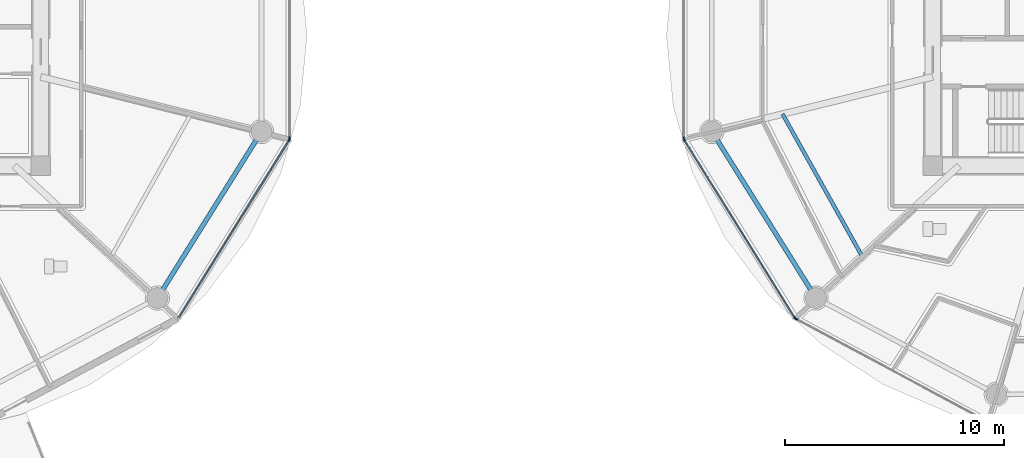
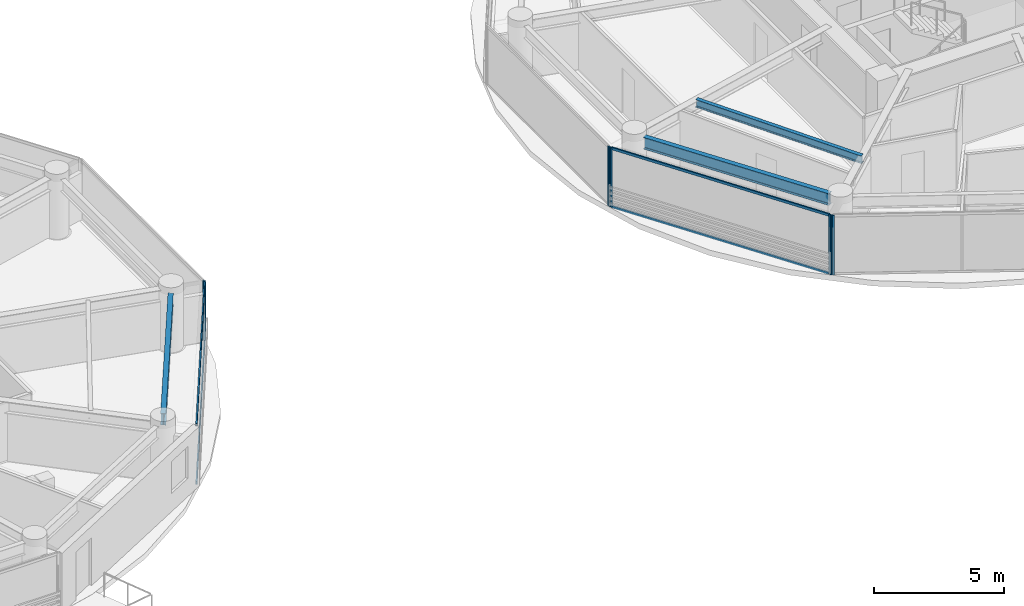
# One storey, part 6 of 31: 10 members, 3 beams, 5 elements without a shape of their own.
"""IFC4 building model written with IfcOpenShell, lengths in metres."""

import ifcopenshell
import ifcopenshell.guid

model = None  # the IFC model being written
_history = None  # IfcOwnerHistory: only IFC2X3 demands one
_inside = {}  # id of a spatial element -> (the spatial element, [elements in it])
_under = {}  # id of a project, library or spatial element -> (it, [spatial elements below it])
_declared = {}  # id of a project -> (the project, [libraries it declares])
_typed = {}  # id of a type object -> (the type object, [elements of that type])
_made_of = {}  # id of a material, layer set ... -> (it, [elements and type objects made of it])


def new_model(schema):
    """Start an empty IFC model of exactly this schema.

    Asked for "IFC4X3", IfcOpenShell would pick the latest addendum, in which some entities
    have other attributes; the version numbers below select the first issue.
    IFC2X3 requires an IfcOwnerHistory on every rooted entity: one is made here for all.
    """
    global model, _history
    if schema == "IFC4X3":
        model = ifcopenshell.file(schema_version=(4, 3, 0, 0))
    else:
        model = ifcopenshell.file(schema=schema)
    _inside.clear()
    _under.clear()
    _declared.clear()
    _typed.clear()
    _made_of.clear()
    _history = None
    if model.schema == "IFC2X3":
        org = make("IfcOrganization", Name="unknown")
        user = make(
            "IfcPersonAndOrganization",
            ThePerson=make("IfcPerson", FamilyName="unknown"),
            TheOrganization=org,
        )
        app = make(
            "IfcApplication",
            ApplicationDeveloper=org,
            Version="unknown",
            ApplicationFullName="unknown",
            ApplicationIdentifier="unknown",
        )
        _history = make(
            "IfcOwnerHistory",
            OwningUser=user,
            OwningApplication=app,
            ChangeAction="ADDED",
            CreationDate=0,
        )
    return model


def make(cls, **values):
    """One entity of the class cls with the attributes given. An attribute that is None is left unset."""
    return model.create_entity(
        cls, **{name: value for name, value in values.items() if value is not None}
    )


def rooted(cls, **values):
    """An entity with a GlobalId (a new one), such as an element, a storey or a relation."""
    return make(cls, GlobalId=ifcopenshell.guid.new(), OwnerHistory=_history, **values)


def si_unit(unit_type, name, prefix=None):
    """IfcSIUnit, for example si_unit("LENGTHUNIT", "METRE", prefix="MILLI")."""
    return make("IfcSIUnit", UnitType=unit_type, Prefix=prefix, Name=name)


def assignment(units):
    """IfcUnitAssignment: the units of a project."""
    return None if units is None else make("IfcUnitAssignment", Units=units)


def point(xyz):
    """IfcCartesianPoint."""
    return None if xyz is None else make("IfcCartesianPoint", Coordinates=xyz)


def direction(xyz):
    """IfcDirection."""
    return None if xyz is None else make("IfcDirection", DirectionRatios=xyz)


def frame(location, z_axis=None, x_axis=None):
    """IfcAxis2Placement3D, a coordinate frame: its origin and axes. An axis left out is left unset."""
    return make(
        "IfcAxis2Placement3D",
        Location=point(location),
        Axis=direction(z_axis),
        RefDirection=direction(x_axis),
    )


def frame_2d(location, x_axis=None):
    """IfcAxis2Placement2D, a coordinate frame in the plane: its origin and x axis."""
    return make(
        "IfcAxis2Placement2D", Location=point(location), RefDirection=direction(x_axis)
    )


def origin():
    """The frame at (0, 0, 0) with its axes left unset."""
    return frame((0.0, 0.0, 0.0))


def origin_2d():
    """The frame at (0, 0) in the plane with its x axis left unset."""
    return frame_2d((0.0, 0.0))


def place(relative_to, where):
    """IfcLocalPlacement: puts the frame where relative to a parent placement (None: the world)."""
    return make(
        "IfcLocalPlacement", PlacementRelTo=relative_to, RelativePlacement=where
    )


def context(
    kind, dimensions, precision=None, world=None, true_north=None, identifier=None
):
    """IfcGeometricRepresentationContext, for example the 3D "Model" context."""
    return make(
        "IfcGeometricRepresentationContext",
        ContextIdentifier=identifier,
        ContextType=kind,
        CoordinateSpaceDimension=dimensions,
        Precision=precision,
        WorldCoordinateSystem=world,
        TrueNorth=true_north,
    )


def subcontext(parent, identifier, kind, view, scale=None):
    """IfcGeometricRepresentationSubContext, for example "Body" below "Model"."""
    return make(
        "IfcGeometricRepresentationSubContext",
        ContextIdentifier=identifier,
        ContextType=kind,
        ParentContext=parent,
        TargetScale=scale,
        TargetView=view,
    )


def project(units=None, contexts=None):
    """IfcProject with its units and contexts."""
    return rooted(
        "IfcProject",
        Name="project",
        RepresentationContexts=contexts,
        UnitsInContext=assignment(units),
    )


def spatial(cls, under=None, at=None, **own):
    """A site, building, storey or space (cls), placed at a placement, below another one or the project."""
    s = rooted(cls, ObjectPlacement=at, **own)
    if under is not None:
        _under.setdefault(under.id(), (under, []))[1].append(s)
    return s


def profile(cls, at=None, kind="AREA", **sizes):
    """A parametric profile (cls). Its sizes go by their IFC names, for example OverallWidth=200.0."""
    return make(cls, ProfileType=kind, Position=at, **sizes)


def rectangle(**sizes):
    """IfcRectangleProfileDef."""
    return profile("IfcRectangleProfileDef", **sizes)


def i_section(**sizes):
    """IfcIShapeProfileDef."""
    return profile("IfcIShapeProfileDef", **sizes)


def extrude(swept, where, along, depth):
    """IfcExtrudedAreaSolid: the profile swept, set in the frame where, extruded along a direction by depth."""
    return make(
        "IfcExtrudedAreaSolid",
        SweptArea=swept,
        Position=where,
        ExtrudedDirection=direction(along),
        Depth=depth,
    )


def shape(context_of_items, identifier, shape_type, items):
    """IfcShapeRepresentation: the items that make up one representation, for example the "Body"."""
    return make(
        "IfcShapeRepresentation",
        ContextOfItems=context_of_items,
        RepresentationIdentifier=identifier,
        RepresentationType=shape_type,
        Items=items,
    )


def source(mapping_origin, context_of_items, identifier, shape_type, items):
    """IfcRepresentationMap: a shape defined once, which mapped items show again and again."""
    return make(
        "IfcRepresentationMap",
        MappingOrigin=mapping_origin,
        MappedRepresentation=shape(context_of_items, identifier, shape_type, items),
    )


def transform(
    local_origin,
    x_axis=None,
    y_axis=None,
    z_axis=None,
    scale=None,
    scale2=None,
    scale3=None,
    uniform=True,
):
    """IfcCartesianTransformationOperator3D, or its non-uniform kind. x_axis, y_axis, z_axis: its Axis1, 2, 3."""
    if uniform:
        return make(
            "IfcCartesianTransformationOperator3D",
            Axis1=direction(x_axis),
            Axis2=direction(y_axis),
            LocalOrigin=point(local_origin),
            Scale=scale,
            Axis3=direction(z_axis),
        )
    return make(
        "IfcCartesianTransformationOperator3DnonUniform",
        Axis1=direction(x_axis),
        Axis2=direction(y_axis),
        LocalOrigin=point(local_origin),
        Scale=scale,
        Axis3=direction(z_axis),
        Scale2=scale2,
        Scale3=scale3,
    )


def mapped(mapping_source, mapping_target):
    """IfcMappedItem: shows the shape of a source again, moved by a transform."""
    return make(
        "IfcMappedItem", MappingSource=mapping_source, MappingTarget=mapping_target
    )


def material(Name=None, Category=None):
    """IfcMaterial."""
    return make("IfcMaterial", Name=Name, Category=Category)


def layer(
    of_material, thickness, ventilated=None, Name=None, Category=None, Priority=None
):
    """IfcMaterialLayer: one layer of a wall or slab, of a material (None: an air gap)."""
    return make(
        "IfcMaterialLayer",
        Material=of_material,
        LayerThickness=thickness,
        IsVentilated=ventilated,
        Name=Name,
        Category=Category,
        Priority=Priority,
    )


def layer_set(layers, Name=None):
    """IfcMaterialLayerSet."""
    return make("IfcMaterialLayerSet", MaterialLayers=layers, LayerSetName=Name)


def material_profile(
    of_material, cross_section, Name=None, Category=None, Priority=None
):
    """IfcMaterialProfile: a cross section and its material."""
    return make(
        "IfcMaterialProfile",
        Name=Name,
        Material=of_material,
        Profile=cross_section,
        Priority=Priority,
        Category=Category,
    )


def profile_set(profiles, Name=None, composite=None):
    """IfcMaterialProfileSet."""
    return make(
        "IfcMaterialProfileSet",
        Name=Name,
        MaterialProfiles=profiles,
        CompositeProfile=composite,
    )


def made_of(thing, what):
    """Note that an element or type object is made of a material, layer set ...; save() writes the relation."""
    if what is not None:
        _made_of.setdefault(what.id(), (what, []))[1].append(thing)
    return thing


def type_object(cls, material=None, **own):
    """A type object (cls), such as IfcWallType, which elements share."""
    return made_of(rooted(cls, **own), material)


def type_shapes(of_type, sources):
    """Give a type object the sources (RepresentationMaps) that its elements show as mapped items."""
    of_type.RepresentationMaps = sources


def element(
    cls,
    number,
    at=None,
    inside=None,
    cuts=None,
    type_object=None,
    material=None,
    context=None,
    identifier="Body",
    shape_type=None,
    held_by="IfcProductDefinitionShape",
    body=None,
    shapes=None,
    **own,
):
    """One element of the class cls, such as IfcWall. Its Tag is "e" and its number.

    at: its placement. inside: the storey or other place that contains it. cuts: it is an
    opening in that element (IfcRelVoidsElement). A single representation is given by context,
    identifier, shape_type and body (its items); several are given by shapes. held_by: the class
    of the entity that holds the representations. save() writes the other relations.
    """
    e = rooted(cls, Tag="e%d" % number, ObjectPlacement=at, **own)
    if body is not None:
        shapes = [shape(context, identifier, shape_type, body)]
    if shapes is not None:
        e.Representation = make(held_by, Representations=shapes)
    if inside is not None:
        _inside.setdefault(inside.id(), (inside, []))[1].append(e)
    if cuts is not None:
        rooted(
            "IfcRelVoidsElement", RelatingBuildingElement=cuts, RelatedOpeningElement=e
        )
    if type_object is not None:
        _typed.setdefault(type_object.id(), (type_object, []))[1].append(e)
    return made_of(e, material)


def aggregate(whole, parts):
    """IfcRelAggregates: a whole, such as a stair, and the parts it consists of."""
    return rooted("IfcRelAggregates", RelatingObject=whole, RelatedObjects=parts)


def save(model, path):
    """Write the relations noted so far, then the file.

    IfcRelAggregates (storeys below a building ...), IfcRelContainedInSpatialStructure (elements
    in a storey), IfcRelDefinesByType, IfcRelAssociatesMaterial and IfcRelDeclares: one each for
    every whole, place, type object, material and project.
    """
    for whole, parts in _under.values():
        aggregate(whole, parts)
    for where, things in _inside.values():
        rooted(
            "IfcRelContainedInSpatialStructure",
            RelatedElements=things,
            RelatingStructure=where,
        )
    for kind, things in _typed.values():
        rooted("IfcRelDefinesByType", RelatedObjects=things, RelatingType=kind)
    for what, things in _made_of.values():
        rooted("IfcRelAssociatesMaterial", RelatedObjects=things, RelatingMaterial=what)
    for by, libraries in _declared.values():
        rooted("IfcRelDeclares", RelatingContext=by, RelatedDefinitions=libraries)
    model.write(path)


model = new_model("IFC4")

# Units and contexts
model_context = context("Model", 3, precision=1e-05, world=origin(), true_north=direction((0.0, 1.0)))
body_context = subcontext(model_context, "Body", "Model", "MODEL_VIEW")
ifc_project = project(units=[si_unit("LENGTHUNIT", "METRE"), si_unit("AREAUNIT", "SQUARE_METRE"), si_unit("VOLUMEUNIT", "CUBIC_METRE"), si_unit("PLANEANGLEUNIT", "RADIAN"), si_unit("MASSUNIT", "GRAM", prefix="KILO")], contexts=[model_context])

# Site, building, storey
site_placement = place(None, origin())
site = spatial("IfcSite", under=ifc_project, at=site_placement, CompositionType="ELEMENT")
building_placement = place(site_placement, origin())
building = spatial("IfcBuilding", under=site, at=building_placement, Name="Norrkilde Senior Care Towers", CompositionType="ELEMENT")
storey_placement = place(building_placement, frame((0.0, 0.0, 42.949951171875)))
storey = spatial("IfcBuildingStorey", under=building, at=storey_placement, Name="L12", CompositionType="ELEMENT", Elevation=42.949951171875)

# Beams
ifc_material_1 = material(Name="Steel S355", Category="steel")
ifc_material_profile_1 = material_profile(ifc_material_1, i_section(OverallWidth=0.2099609375, OverallDepth=0.550048828125, WebThickness=0.010986328125, FlangeThickness=0.01708984375, FilletRadius=0.02392578125, at=origin_2d()), Name="IPE 550")
ifc_profile_set_1 = profile_set([ifc_material_profile_1], Name="Steel S355")
beam_type_1 = type_object("IfcBeamType", Name="Perimeter Ring Spandrel Z1 IPE550", PredefinedType="SPANDREL", material=ifc_profile_set_1)
shared_shape_1 = source(origin(), body_context, "Body", "SweptSolid", [
    extrude(i_section(OverallWidth=0.2099609375, OverallDepth=0.550048828125, WebThickness=0.010986328125, FlangeThickness=0.01708984375, FilletRadius=0.02392578125, at=origin_2d()), origin(), (0.0, 0.0, 1.0), 8.090576171875),
])
type_shapes(beam_type_1, [shared_shape_1])
for number, where, z_axis, x_axis, name in (
    (1, (-14.7939453125, -11.61669921875, 2.51513671875), (0.530004364821, 0.84799491347, 0.0), (-0.84799491347, 0.530004364821, 0.0), "L12 Drum W Perimeter Spandrel 11"),
    (2, (10.505859375, -4.755859375, 2.51513671875), (0.530004364821, -0.84799491347, 0.0), (0.84799491347, 0.530004364821, 0.0), "L12 Drum E Perimeter Spandrel 07"),
):
    element("IfcBeam", number, at=place(storey_placement, frame(where, z_axis=z_axis, x_axis=x_axis)), inside=storey, type_object=beam_type_1, Name=name, PredefinedType="SPANDREL", context=body_context, shape_type="MappedRepresentation", body=[
        mapped(shared_shape_1, transform((0.0, 0.0, 0.0), x_axis=(1.0, 0.0, 0.0), y_axis=(0.0, 1.0, 0.0), z_axis=(0.0, 0.0, 1.0), scale=1.0)),
    ])
ifc_material_profile_2 = material_profile(ifc_material_1, i_section(OverallWidth=0.169921875, OverallDepth=0.360107421875, WebThickness=0.008056640625, FlangeThickness=0.0126953125, FilletRadius=0.01806640625, at=origin_2d()), Name="IPE 360")
ifc_profile_set_2 = profile_set([ifc_material_profile_2], Name="Steel S355")
beam_type_2 = type_object("IfcBeamType", Name="Secondary Floor Joist IPE360", PredefinedType="JOIST", material=ifc_profile_set_2)
shared_shape_2 = source(origin(), body_context, "Body", "SweptSolid", [
    extrude(i_section(OverallWidth=0.169921875, OverallDepth=0.360107421875, WebThickness=0.008056640625, FlangeThickness=0.0126953125, FilletRadius=0.01806640625, at=origin_2d()), origin(), (0.0, 0.0, 1.0), 7.40771484375),
])
type_shapes(beam_type_2, [shared_shape_2])
beam_placement = place(storey_placement, frame((13.499267578125, -3.589111328125, 2.610107421875), z_axis=(0.488167754092, -0.872749817453, 0.0), x_axis=(0.872749817453, 0.488167754092, 0.0)))
element("IfcBeam", 3, at=beam_placement, inside=storey, type_object=beam_type_2, Name="L12 Drum E Secondary Floor Joist 3", PredefinedType="JOIST", context=body_context, shape_type="MappedRepresentation", body=[
    mapped(shared_shape_2, transform((0.0, 0.0, 0.0), x_axis=(1.0, 0.0, 0.0), y_axis=(0.0, 1.0, 0.0), z_axis=(0.0, 0.0, 1.0), scale=1.0)),
])

# Curtain wall, member
ifc_material_2 = material(Name="Triple Low-E Insulated Glazing", Category="glass")
ifc_layer = layer(ifc_material_2, 0.199951171875)
ifc_layer_set = layer_set([ifc_layer], Name="Triple Low-E Insulated Glazing")
curtain_wall_type = type_object("IfcCurtainWallType", Name="CW2 Zone 1 Memory Care Curtain Wall", PredefinedType="NOTDEFINED", material=ifc_layer_set)
curtain_wall_1_placement = place(storey_placement, origin())
curtain_wall_1 = element("IfcCurtainWall", 4, at=curtain_wall_1_placement, inside=storey, type_object=curtain_wall_type, Name="L12 Drum W Curtain Wall 10", PredefinedType="NOTDEFINED")
ifc_material_3 = material(Name="Anodised Aluminium", Category="aluminium")
ifc_material_profile_3 = material_profile(ifc_material_3, rectangle(XDim=0.06494140625, YDim=0.159912109375, at=origin_2d()), Name="ALU MULL 65x160")
ifc_profile_set_3 = profile_set([ifc_material_profile_3], Name="Anodised Aluminium")
member_type_1 = type_object("IfcMemberType", Name="Curtain Wall Mullion Z1-Z2 65x160", PredefinedType="MULLION", material=ifc_profile_set_3)
shared_shape_3 = source(origin(), body_context, "Body", "SweptSolid", [
    extrude(rectangle(XDim=0.06494140625, YDim=0.159912109375, at=origin_2d()), origin(), (0.0, 0.0, 1.0), 2.7900390625),
])
type_shapes(member_type_1, [shared_shape_3])
member_1_placement = place(storey_placement, frame((-9.0078125, -4.7587890625, 0.0), z_axis=(0.0, 0.0, 1.0), x_axis=(0.849305943117, -0.527900951871, 0.0)))
member_1 = element("IfcMember", 5, at=member_1_placement, type_object=member_type_1, Name="CW-2 mullion 1", PredefinedType="MULLION", context=body_context, shape_type="MappedRepresentation", body=[
    mapped(shared_shape_3, transform((0.0, 0.0, 0.0), x_axis=(1.0, 0.0, 0.0), y_axis=(0.0, 1.0, 0.0), z_axis=(0.0, 0.0, 1.0), scale=1.0)),
])

curtain_wall_2_placement = place(storey_placement, origin())
curtain_wall_2 = element("IfcCurtainWall", 6, at=curtain_wall_2_placement, inside=storey, type_object=curtain_wall_type, Name="L12 Drum W Curtain Wall 11", PredefinedType="NOTDEFINED")
member_2_placement = place(storey_placement, frame((-8.990478515625, -4.69873046875, 0.0), z_axis=(0.0, 0.0, 1.0), x_axis=(1.0, 0.0, 0.0)))
member_2 = element("IfcMember", 7, at=member_2_placement, type_object=member_type_1, Name="CW-2 mullion 2", PredefinedType="MULLION", context=body_context, shape_type="MappedRepresentation", body=[
    mapped(shared_shape_3, transform((0.0, 0.0, 0.0), x_axis=(1.0, 0.0, 0.0), y_axis=(0.0, 1.0, 0.0), z_axis=(0.0, 0.0, 1.0), scale=1.0)),
])
aggregate(curtain_wall_2, [member_2])

curtain_wall_3_placement = place(storey_placement, origin())
curtain_wall_3 = element("IfcCurtainWall", 8, at=curtain_wall_3_placement, inside=storey, type_object=curtain_wall_type, Name="L12 Drum E Curtain Wall 05", PredefinedType="NOTDEFINED")
member_3_placement = place(storey_placement, frame((8.990478515625, -4.69873046875, 0.0), z_axis=(0.0, 0.0, 1.0), x_axis=(-1.0, 0.0, 0.0)))
member_3 = element("IfcMember", 9, at=member_3_placement, type_object=member_type_1, Name="CW-2 mullion 1", PredefinedType="MULLION", context=body_context, shape_type="MappedRepresentation", body=[
    mapped(shared_shape_3, transform((0.0, 0.0, 0.0), x_axis=(1.0, 0.0, 0.0), y_axis=(0.0, 1.0, 0.0), z_axis=(0.0, 0.0, 1.0), scale=1.0)),
])
aggregate(curtain_wall_3, [member_3])

# Curtain wall, members
curtain_wall_4_placement = place(storey_placement, origin())
curtain_wall_4 = element("IfcCurtainWall", 10, at=curtain_wall_4_placement, inside=storey, type_object=curtain_wall_type, Name="L12 Drum E Curtain Wall 06", PredefinedType="NOTDEFINED")
member_4_placement = place(storey_placement, frame((14.06689453125, -12.898193359375, 0.0), z_axis=(0.0, 0.0, 1.0), x_axis=(-0.849305943117, -0.527900951871, 0.0)))
member_4 = element("IfcMember", 11, at=member_4_placement, type_object=member_type_1, Name="CW-2 mullion 1", PredefinedType="MULLION", context=body_context, shape_type="MappedRepresentation", body=[
    mapped(shared_shape_3, transform((0.0, 0.0, 0.0), x_axis=(1.0, 0.0, 0.0), y_axis=(0.0, 1.0, 0.0), z_axis=(0.0, 0.0, 1.0), scale=1.0)),
])
member_5_placement = place(storey_placement, frame((9.0078125, -4.7587890625, 0.0), z_axis=(0.0, 0.0, 1.0), x_axis=(-0.849305943117, -0.527900951871, 0.0)))
member_5 = element("IfcMember", 12, at=member_5_placement, type_object=member_type_1, Name="CW-2 mullion 2", PredefinedType="MULLION", context=body_context, shape_type="MappedRepresentation", body=[
    mapped(shared_shape_3, transform((0.0, 0.0, 0.0), x_axis=(1.0, 0.0, 0.0), y_axis=(0.0, 1.0, 0.0), z_axis=(0.0, 0.0, 1.0), scale=1.0)),
])

# Curtain wall, member
curtain_wall_5_placement = place(storey_placement, origin())
curtain_wall_5 = element("IfcCurtainWall", 13, at=curtain_wall_5_placement, inside=storey, type_object=curtain_wall_type, Name="L12 Drum E Curtain Wall 07", PredefinedType="NOTDEFINED")
member_6_placement = place(storey_placement, frame((14.11279296875, -12.941162109375, 0.0), z_axis=(0.0, 0.0, 1.0), x_axis=(-0.472607802456, -0.881272866403, 0.0)))
member_6 = element("IfcMember", 14, at=member_6_placement, type_object=member_type_1, Name="CW-2 mullion 2", PredefinedType="MULLION", context=body_context, shape_type="MappedRepresentation", body=[
    mapped(shared_shape_3, transform((0.0, 0.0, 0.0), x_axis=(1.0, 0.0, 0.0), y_axis=(0.0, 1.0, 0.0), z_axis=(0.0, 0.0, 1.0), scale=1.0)),
])
aggregate(curtain_wall_5, [member_6])

# Member
ifc_material_profile_4 = material_profile(ifc_material_3, rectangle(XDim=0.06005859375, YDim=0.1201171875, at=origin_2d()), Name="ALU TRAN 60x120")
ifc_profile_set_4 = profile_set([ifc_material_profile_4], Name="Anodised Aluminium")
member_type_2 = type_object("IfcMemberType", Name="Curtain Wall Transom Typical 60x120", PredefinedType="USERDEFINED", material=ifc_profile_set_4)
shared_shape_4 = source(origin(), body_context, "Body", "SweptSolid", [
    extrude(rectangle(XDim=0.06005859375, YDim=0.1201171875, at=origin_2d()), origin(), (0.0, 0.0, 1.0), 9.5185546875),
])
type_shapes(member_type_2, [shared_shape_4])
member_7_placement = place(storey_placement, frame((-9.02490234375, -4.786376953125, 0.030029296875), z_axis=(-0.527901620669, -0.849305527413, 0.0), x_axis=(0.849305527413, -0.527901620669, 0.0)))
member_7 = element("IfcMember", 15, at=member_7_placement, type_object=member_type_2, Name="CW-2 transom 1.1", ObjectType="TRANSOM", PredefinedType="USERDEFINED", context=body_context, shape_type="MappedRepresentation", body=[
    mapped(shared_shape_4, transform((0.0, 0.0, 0.0), x_axis=(1.0, 0.0, 0.0), y_axis=(0.0, 1.0, 0.0), z_axis=(0.0, 0.0, 1.0), scale=1.0)),
])

member_8_placement = place(storey_placement, frame((-9.02490234375, -4.786376953125, 2.760009765625), z_axis=(-0.527901620669, -0.849305527413, 0.0), x_axis=(0.849305527413, -0.527901620669, 0.0)))
member_8 = element("IfcMember", 16, at=member_8_placement, type_object=member_type_2, Name="CW-2 transom 1.2", ObjectType="TRANSOM", PredefinedType="USERDEFINED", context=body_context, shape_type="MappedRepresentation", body=[
    mapped(shared_shape_4, transform((0.0, 0.0, 0.0), x_axis=(1.0, 0.0, 0.0), y_axis=(0.0, 1.0, 0.0), z_axis=(0.0, 0.0, 1.0), scale=1.0)),
])

aggregate(curtain_wall_1, [member_1, member_7, member_8])

member_9_placement = place(storey_placement, frame((14.0498046875, -12.87060546875, 0.030029296875), z_axis=(-0.527901620669, 0.849305527413, 0.0), x_axis=(-0.849305527413, -0.527901620669, 0.0)))
member_9 = element("IfcMember", 17, at=member_9_placement, type_object=member_type_2, Name="CW-2 transom 1.1", ObjectType="TRANSOM", PredefinedType="USERDEFINED", context=body_context, shape_type="MappedRepresentation", body=[
    mapped(shared_shape_4, transform((0.0, 0.0, 0.0), x_axis=(1.0, 0.0, 0.0), y_axis=(0.0, 1.0, 0.0), z_axis=(0.0, 0.0, 1.0), scale=1.0)),
])

member_10_placement = place(storey_placement, frame((14.0498046875, -12.87060546875, 2.760009765625), z_axis=(-0.527901620669, 0.849305527413, 0.0), x_axis=(-0.849305527413, -0.527901620669, 0.0)))
member_10 = element("IfcMember", 18, at=member_10_placement, type_object=member_type_2, Name="CW-2 transom 1.2", ObjectType="TRANSOM", PredefinedType="USERDEFINED", context=body_context, shape_type="MappedRepresentation", body=[
    mapped(shared_shape_4, transform((0.0, 0.0, 0.0), x_axis=(1.0, 0.0, 0.0), y_axis=(0.0, 1.0, 0.0), z_axis=(0.0, 0.0, 1.0), scale=1.0)),
])

aggregate(curtain_wall_4, [member_4, member_5, member_9, member_10])

save(model, "model.ifc")
